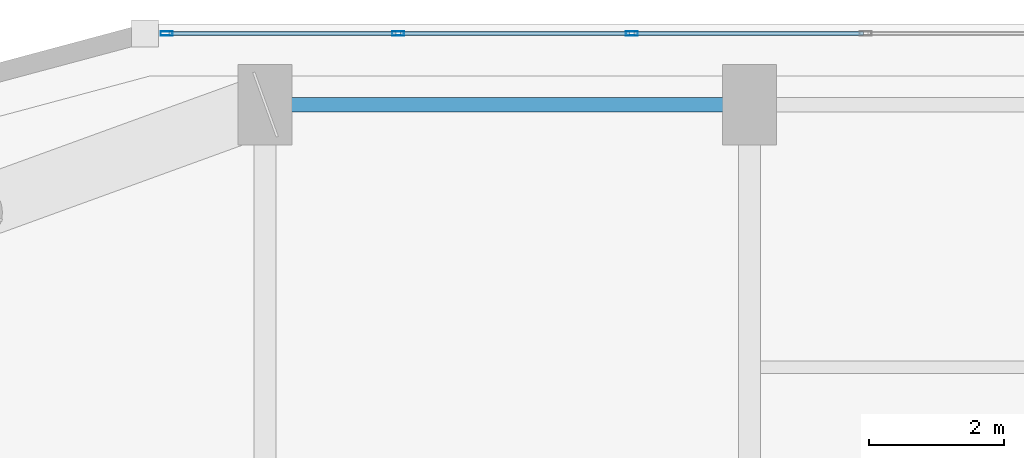
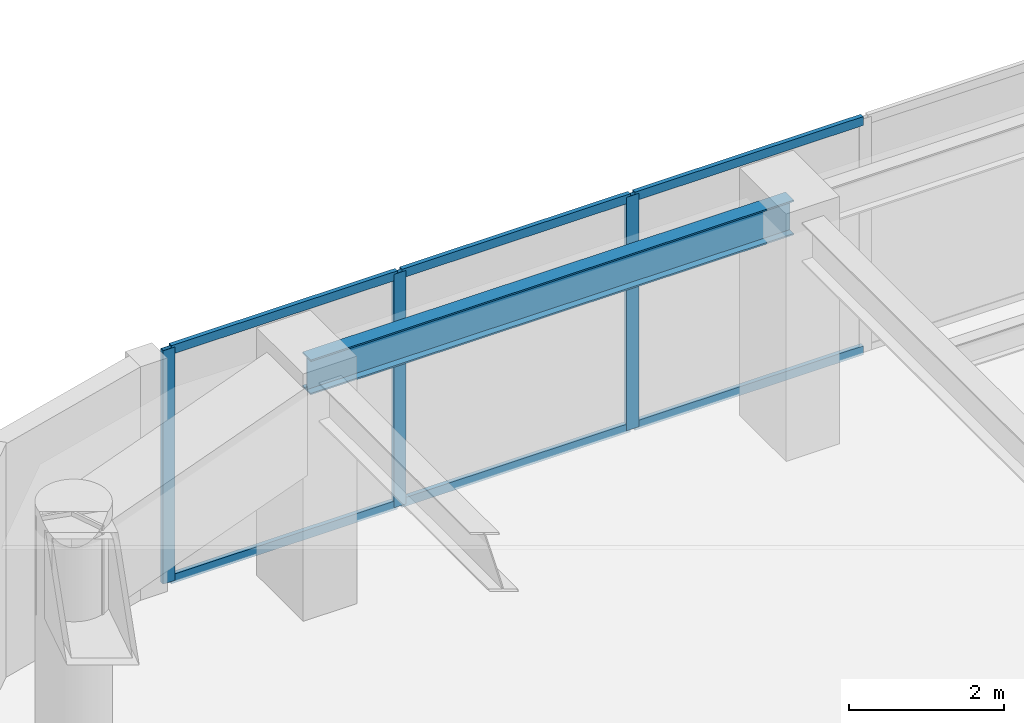
# One storey, part 17 of 30: 9 members, 1 beam, 1 element without a shape of its own.
"""IFC4 building model written with IfcOpenShell, lengths in metres."""

from ifc_helpers import new_model, si_unit, direction, frame, origin, origin_2d, place, context, subcontext, project, spatial, hollow_rectangle, i_section, extrude, material, layer, layer_set, material_profile, profile_set, type_object, element, aggregate, save


model = new_model("IFC4")

# Units and contexts
model_context = context("Model", 3, precision=1e-05, world=origin(), true_north=direction((0.0, 1.0)))
body_context = subcontext(model_context, "Body", "Model", "MODEL_VIEW")
ifc_project = project(units=[si_unit("LENGTHUNIT", "METRE"), si_unit("AREAUNIT", "SQUARE_METRE"), si_unit("VOLUMEUNIT", "CUBIC_METRE"), si_unit("PLANEANGLEUNIT", "RADIAN"), si_unit("MASSUNIT", "GRAM", prefix="KILO")], contexts=[model_context])

# Site, building, storey
site_placement = place(None, origin())
site = spatial("IfcSite", under=ifc_project, at=site_placement, CompositionType="ELEMENT")
building_placement = place(site_placement, origin())
building = spatial("IfcBuilding", under=site, at=building_placement, Name="Kiyonajd Concourse Tower", CompositionType="ELEMENT")
storey_placement = place(building_placement, frame((0.0, 0.0, 190.199951171875)))
storey = spatial("IfcBuildingStorey", under=building, at=storey_placement, Name="L48", CompositionType="ELEMENT", Elevation=190.199951171875)

# Beam
ifc_material_1 = material(Name="Steel ASTM A992 Grade 50", Category="steel")
ifc_material_profile_1 = material_profile(ifc_material_1, i_section(OverallWidth=0.214111328125, OverallDepth=0.549072265625, WebThickness=0.0146484375, FlangeThickness=0.023681640625, at=origin_2d()), Name="W530X138")
ifc_profile_set_1 = profile_set([ifc_material_profile_1], Name="Steel ASTM A992 Grade 50")
beam_type = type_object("IfcBeamType", Name="BM-SPAN-530A", PredefinedType="SPANDREL", material=ifc_profile_set_1)
beam_placement = place(storey_placement, frame((32.39990234375, 61.199951171875, 3.405517578125), z_axis=(-1.0, 0.0, 0.0), x_axis=(0.0, -1.0, 0.0)))
element("IfcBeam", 1, at=beam_placement, inside=storey, type_object=beam_type, Name="L48 Perimeter Bundled Tube Spandrel", PredefinedType="SPANDREL", context=body_context, shape_type="SweptSolid", body=[
    extrude(i_section(OverallWidth=0.214111328125, OverallDepth=0.549072265625, WebThickness=0.0146484375, FlangeThickness=0.023681640625, at=origin_2d()), origin(), (0.0, 0.0, 1.0), 7.199951171875),
])

# Curtain wall, members
ifc_material_2 = material(Name="Thermally Broken Anodised Aluminium", Category="aluminium")
ifc_layer = layer(ifc_material_2, 0.179931640625)
ifc_layer_set = layer_set([ifc_layer], Name="Thermally Broken Anodised Aluminium")
curtain_wall_type = type_object("IfcCurtainWallType", Name="CW-SYS-03", PredefinedType="NOTDEFINED", material=ifc_layer_set)
curtain_wall_placement = place(storey_placement, origin())
curtain_wall = element("IfcCurtainWall", 2, at=curtain_wall_placement, inside=storey, type_object=curtain_wall_type, Name="L48 Unitised Curtain Wall CW3", PredefinedType="NOTDEFINED")
ifc_material_profile_2 = material_profile(ifc_material_2, hollow_rectangle(XDim=0.06494140625, YDim=0.179931640625, WallThickness=0.00390625, at=origin_2d()), Name="MULL-65x180")
ifc_profile_set_2 = profile_set([ifc_material_profile_2], Name="Thermally Broken Anodised Aluminium")
member_type_1 = type_object("IfcMemberType", Name="MB-CW-MULL1", PredefinedType="MULLION", material=ifc_profile_set_2)
member_1_placement = place(storey_placement, frame((23.740966796875, 62.260009765625, 0.0), z_axis=(0.0, 0.0, 1.0), x_axis=(0.0, 1.0, 0.0)))
member_1 = element("IfcMember", 3, at=member_1_placement, type_object=member_type_1, Name="CW3 mullion 1", PredefinedType="MULLION", context=body_context, shape_type="SweptSolid", body=[
    extrude(hollow_rectangle(XDim=0.06494140625, YDim=0.179931640625, WallThickness=0.00390625, at=origin_2d()), origin(), (0.0, 0.0, 1.0), 3.679931640625),
])
member_2_placement = place(storey_placement, frame((27.180908203125, 62.260009765625, 0.0), z_axis=(0.0, 0.0, 1.0), x_axis=(0.0, 1.0, 0.0)))
member_2 = element("IfcMember", 4, at=member_2_placement, type_object=member_type_1, Name="CW3 mullion 2", PredefinedType="MULLION", context=body_context, shape_type="SweptSolid", body=[
    extrude(hollow_rectangle(XDim=0.06494140625, YDim=0.179931640625, WallThickness=0.00390625, at=origin_2d()), origin(), (0.0, 0.0, 1.0), 3.679931640625),
])
member_3_placement = place(storey_placement, frame((30.6533203125, 62.260009765625, 0.0), z_axis=(0.0, 0.0, 1.0), x_axis=(0.0, 1.0, 0.0)))
member_3 = element("IfcMember", 5, at=member_3_placement, type_object=member_type_1, Name="CW3 mullion 3", PredefinedType="MULLION", context=body_context, shape_type="SweptSolid", body=[
    extrude(hollow_rectangle(XDim=0.06494140625, YDim=0.179931640625, WallThickness=0.00390625, at=origin_2d()), origin(), (0.0, 0.0, 1.0), 3.679931640625),
])
ifc_material_profile_3 = material_profile(ifc_material_2, hollow_rectangle(XDim=0.06494140625, YDim=0.139892578125, WallThickness=0.00390625, at=origin_2d()), Name="TRAN-65x140")
ifc_profile_set_3 = profile_set([ifc_material_profile_3], Name="Thermally Broken Anodised Aluminium")
member_type_2 = type_object("IfcMemberType", Name="MB-CW-TRAN1", PredefinedType="USERDEFINED", material=ifc_profile_set_3)
member_4_placement = place(storey_placement, frame((23.7734375, 62.260009765625, 0.032470703125), z_axis=(1.0, 0.0, 0.0), x_axis=(0.0, 1.0, 0.0)))
member_4 = element("IfcMember", 6, at=member_4_placement, type_object=member_type_2, Name="CW3 transom 1.1", ObjectType="TRANSOM", PredefinedType="USERDEFINED", context=body_context, shape_type="SweptSolid", body=[
    extrude(hollow_rectangle(XDim=0.06494140625, YDim=0.139892578125, WallThickness=0.00390625, at=origin_2d()), origin(), (0.0, 0.0, 1.0), 3.374755859375),
])
member_5_placement = place(storey_placement, frame((23.7734375, 62.260009765625, 3.6474609375), z_axis=(1.0, 0.0, 0.0), x_axis=(0.0, 1.0, 0.0)))
member_5 = element("IfcMember", 7, at=member_5_placement, type_object=member_type_2, Name="CW3 transom 1.2", ObjectType="TRANSOM", PredefinedType="USERDEFINED", context=body_context, shape_type="SweptSolid", body=[
    extrude(hollow_rectangle(XDim=0.06494140625, YDim=0.139892578125, WallThickness=0.00390625, at=origin_2d()), origin(), (0.0, 0.0, 1.0), 3.374755859375),
])
member_6_placement = place(storey_placement, frame((27.21337890625, 62.260009765625, 0.032470703125), z_axis=(1.0, 0.0, 0.0), x_axis=(0.0, 1.0, 0.0)))
member_6 = element("IfcMember", 8, at=member_6_placement, type_object=member_type_2, Name="CW3 transom 2.1", ObjectType="TRANSOM", PredefinedType="USERDEFINED", context=body_context, shape_type="SweptSolid", body=[
    extrude(hollow_rectangle(XDim=0.06494140625, YDim=0.139892578125, WallThickness=0.00390625, at=origin_2d()), origin(), (0.0, 0.0, 1.0), 3.4072265625),
])
member_7_placement = place(storey_placement, frame((27.21337890625, 62.260009765625, 3.6474609375), z_axis=(1.0, 0.0, 0.0), x_axis=(0.0, 1.0, 0.0)))
member_7 = element("IfcMember", 9, at=member_7_placement, type_object=member_type_2, Name="CW3 transom 2.2", ObjectType="TRANSOM", PredefinedType="USERDEFINED", context=body_context, shape_type="SweptSolid", body=[
    extrude(hollow_rectangle(XDim=0.06494140625, YDim=0.139892578125, WallThickness=0.00390625, at=origin_2d()), origin(), (0.0, 0.0, 1.0), 3.4072265625),
])
member_8_placement = place(storey_placement, frame((30.685791015625, 62.260009765625, 0.032470703125), z_axis=(1.0, 0.0, 0.0), x_axis=(0.0, 1.0, 0.0)))
member_8 = element("IfcMember", 10, at=member_8_placement, type_object=member_type_2, Name="CW3 transom 3.1", ObjectType="TRANSOM", PredefinedType="USERDEFINED", context=body_context, shape_type="SweptSolid", body=[
    extrude(hollow_rectangle(XDim=0.06494140625, YDim=0.139892578125, WallThickness=0.00390625, at=origin_2d()), origin(), (0.0, 0.0, 1.0), 3.4072265625),
])
member_9_placement = place(storey_placement, frame((30.685791015625, 62.260009765625, 3.6474609375), z_axis=(1.0, 0.0, 0.0), x_axis=(0.0, 1.0, 0.0)))
member_9 = element("IfcMember", 11, at=member_9_placement, type_object=member_type_2, Name="CW3 transom 3.2", ObjectType="TRANSOM", PredefinedType="USERDEFINED", context=body_context, shape_type="SweptSolid", body=[
    extrude(hollow_rectangle(XDim=0.06494140625, YDim=0.139892578125, WallThickness=0.00390625, at=origin_2d()), origin(), (0.0, 0.0, 1.0), 3.4072265625),
])
aggregate(curtain_wall, [member_1, member_2, member_3, member_4, member_5, member_6, member_7, member_8, member_9])

save(model, "model.ifc")
